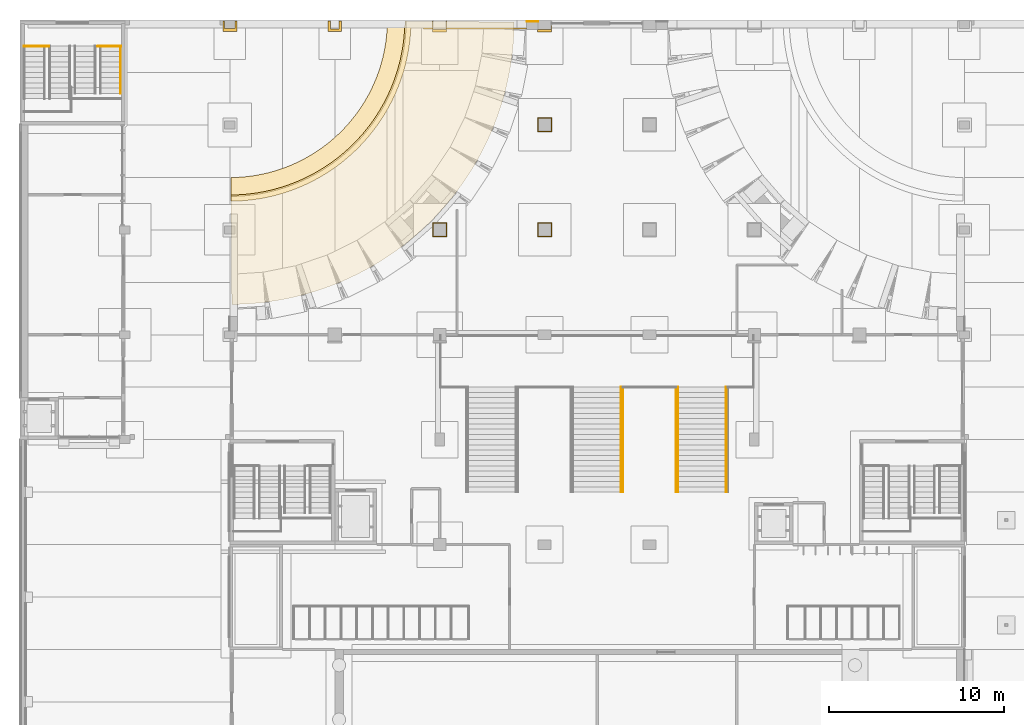
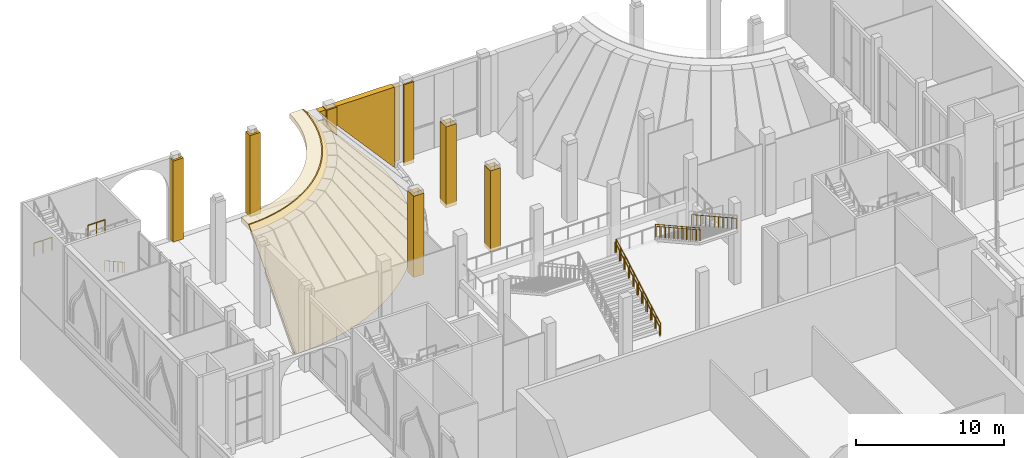
# One storey, part 86 of 95: 11 coverings, 8 railings.
"""IFC4 building model written with IfcOpenShell, lengths in metres."""

from ifc_helpers import new_model, entity, si_unit, direction, frame, origin, origin_2d, place, context, subcontext, project, spatial, polyline, rectangle, circle, outline, extrude, material, layer, layer_set, type_object, element, save


model = new_model("IFC4")

# Units and contexts
model_context = context("Model", 3, precision=1e-05, world=origin(), true_north=direction((0.0, 1.0)))
body_context = subcontext(model_context, "Body", "Model", "MODEL_VIEW")
ifc_project = project(units=[si_unit("LENGTHUNIT", "METRE"), si_unit("AREAUNIT", "SQUARE_METRE"), si_unit("VOLUMEUNIT", "CUBIC_METRE"), si_unit("PLANEANGLEUNIT", "RADIAN"), si_unit("MASSUNIT", "GRAM", prefix="KILO")], contexts=[model_context])

# Site, building, storey
site_placement = place(None, origin())
site = spatial("IfcSite", under=ifc_project, at=site_placement, CompositionType="ELEMENT")
building_placement = place(site_placement, origin())
building = spatial("IfcBuilding", under=site, at=building_placement, Name="Saffron Lane Theatres", CompositionType="ELEMENT")
storey_placement = place(building_placement, origin())
storey = spatial("IfcBuildingStorey", under=building, at=storey_placement, Name="L00", CompositionType="ELEMENT", Elevation=0.0)

# Coverings
ifc_material_1 = material(Name="Masonry pale clay brick", Category="masonry")
ifc_layer_1 = layer(ifc_material_1, 0.449951171875)
ifc_layer_set_1 = layer_set([ifc_layer_1], Name="Masonry pale clay brick")
covering_type_1 = type_object("IfcCoveringType", Name="EX-END INFILL CLADDING BRICK 450", PredefinedType="CLADDING", material=ifc_layer_set_1)
covering_1_placement = place(storey_placement, frame((28.96826171875, 125.93994140625, 6.64990234375), z_axis=(0.0, 1.0, 0.0), x_axis=(0.0, 0.0, -1.0)))
element("IfcCovering", 1, at=covering_1_placement, inside=storey, type_object=covering_type_1, Name="Wall end infill L00 08", PredefinedType="CLADDING", context=body_context, shape_type="SweptSolid", body=[
    extrude(outline(polyline([(0.0, 0.0), (6.64990234375, 0.0), (0.0, 5.880859375), (0.0, 0.0)])), origin(), (0.0, 0.0, -1.0), 0.449951171875),
])
ifc_material_2 = material(Name="Face brick cladding, pale buff", Category="masonry")
ifc_layer_2 = layer(ifc_material_2, 0.0400390625)
ifc_layer_set_2 = layer_set([ifc_layer_2], Name="Face brick cladding, pale buff")
covering_type_2 = type_object("IfcCoveringType", Name="EX-FACE BRICK CLADDING PALE BUFF 40", PredefinedType="CLADDING", material=ifc_layer_set_2)
covering_2_placement = place(storey_placement, frame((29.297119140625, 125.919921875, 0.150146484375), z_axis=(0.0, 0.0, 1.0), x_axis=(1.0, 0.0, 0.0)))
element("IfcCovering", 2, at=covering_2_placement, inside=storey, type_object=covering_type_2, Name="Cladding course L00", PredefinedType="CLADDING", context=body_context, shape_type="SweptSolid", body=[
    extrude(rectangle(XDim=0.656982421875, YDim=0.0400390625, at=origin_2d()), origin(), (0.0, 0.0, 1.0), 6.39990234375),
])
ifc_material_3 = material(Name="Face brick cladding, pale buff", Category="masonry")
ifc_layer_3 = layer(ifc_material_3, 0.10009765625)
ifc_layer_set_3 = layer_set([ifc_layer_3], Name="Face brick cladding, pale buff")
covering_type_3 = type_object("IfcCoveringType", Name="EX-PIER CASING FACE BRICK PALE BUFF 800", PredefinedType="CLADDING", material=ifc_layer_set_3)
covering_3_placement = place(storey_placement, origin())
element("IfcCovering", 3, at=covering_3_placement, inside=storey, type_object=covering_type_3, Name="Pier casing L00 6", PredefinedType="CLADDING", context=body_context, shape_type="SweptSolid", body=[
    extrude(outline(polyline([(24.39990234375, 114.39990234375), (23.60009765625, 114.39990234375), (23.60009765625, 113.60009765625), (24.39990234375, 113.60009765625), (24.39990234375, 114.39990234375)]), holes=[polyline([(23.625, 114.375), (24.375, 114.375), (24.375, 113.625), (23.625, 113.625), (23.625, 114.375)])]), origin(), (0.0, 0.0, 1.0), 6.699951171875),
])
covering_4_placement = place(storey_placement, origin())
element("IfcCovering", 4, at=covering_4_placement, inside=storey, type_object=covering_type_3, Name="Pier casing L00 7", PredefinedType="CLADDING", context=body_context, shape_type="SweptSolid", body=[
    extrude(outline(polyline([(30.39990234375, 114.39990234375), (29.60009765625, 114.39990234375), (29.60009765625, 113.60009765625), (30.39990234375, 113.60009765625), (30.39990234375, 114.39990234375)]), holes=[polyline([(29.625, 114.375), (30.375, 114.375), (30.375, 113.625), (29.625, 113.625), (29.625, 114.375)])]), origin(), (0.0, 0.0, 1.0), 6.699951171875),
])
covering_5_placement = place(storey_placement, origin())
element("IfcCovering", 5, at=covering_5_placement, inside=storey, type_object=covering_type_3, Name="Pier casing L00 12", PredefinedType="CLADDING", context=body_context, shape_type="SweptSolid", body=[
    extrude(outline(polyline([(30.39990234375, 120.39990234375), (29.60009765625, 120.39990234375), (29.60009765625, 119.60009765625), (30.39990234375, 119.60009765625), (30.39990234375, 120.39990234375)]), holes=[polyline([(29.625, 120.375), (30.375, 120.375), (30.375, 119.625), (29.625, 119.625), (29.625, 120.375)])]), origin(), (0.0, 0.0, 1.0), 6.699951171875),
])
covering_6_placement = place(storey_placement, origin())
element("IfcCovering", 6, at=covering_6_placement, inside=storey, type_object=covering_type_3, Name="Pier casing L00 15", PredefinedType="CLADDING", context=body_context, shape_type="SweptSolid", body=[
    extrude(outline(polyline([(11.60009765625, 125.93994140625), (11.60009765625, 125.349609375), (12.39990234375, 125.349609375), (12.39990234375, 125.93994140625), (12.300048828125, 125.93994140625), (12.300048828125, 125.5244140625), (11.699951171875, 125.5244140625), (11.699951171875, 125.93994140625), (11.60009765625, 125.93994140625)])), origin(), (0.0, 0.0, 1.0), 6.699951171875),
])
covering_7_placement = place(storey_placement, origin())
element("IfcCovering", 7, at=covering_7_placement, inside=storey, type_object=covering_type_3, Name="Pier casing L00 16", PredefinedType="CLADDING", context=body_context, shape_type="SweptSolid", body=[
    extrude(outline(polyline([(17.60009765625, 125.93994140625), (17.60009765625, 125.349609375), (18.39990234375, 125.349609375), (18.39990234375, 125.93994140625), (18.25, 125.93994140625), (18.25, 125.49951171875), (17.75, 125.49951171875), (17.75, 125.93994140625), (17.60009765625, 125.93994140625)])), origin(), (0.0, 0.0, 1.0), 6.699951171875),
])
covering_8_placement = place(storey_placement, origin())
element("IfcCovering", 8, at=covering_8_placement, inside=storey, type_object=covering_type_3, Name="Pier casing L00 17", PredefinedType="CLADDING", context=body_context, shape_type="SweptSolid", body=[
    extrude(outline(polyline([(23.60009765625, 125.93994140625), (23.60009765625, 125.324462890625), (24.39990234375, 125.324462890625), (24.39990234375, 125.93994140625), (24.375, 125.93994140625), (24.375, 125.449462890625), (23.625, 125.449462890625), (23.625, 125.93994140625), (23.60009765625, 125.93994140625)])), origin(), (0.0, 0.0, 1.0), 6.699951171875),
])
covering_9_placement = place(storey_placement, origin())
element("IfcCovering", 9, at=covering_9_placement, inside=storey, type_object=covering_type_3, Name="Pier casing L00 18", PredefinedType="CLADDING", context=body_context, shape_type="SweptSolid", body=[
    extrude(outline(polyline([(29.60009765625, 125.446044921875), (29.60009765625, 125.324462890625), (30.39990234375, 125.324462890625), (30.39990234375, 125.696044921875), (30.375, 125.696044921875), (30.375, 125.449462890625), (29.62890625, 125.449462890625), (29.62890625, 125.44921875), (29.62890625, 125.448974609375), (29.628662109375, 125.448486328125), (29.62841796875, 125.4482421875), (29.62841796875, 125.44775390625), (29.628173828125, 125.447509765625), (29.6279296875, 125.447265625), (29.62744140625, 125.447021484375), (29.627197265625, 125.44677734375), (29.626953125, 125.446533203125), (29.62646484375, 125.4462890625), (29.626220703125, 125.4462890625), (29.625732421875, 125.446044921875), (29.62548828125, 125.446044921875), (29.625, 125.446044921875), (29.60009765625, 125.446044921875)])), origin(), (0.0, 0.0, 1.0), 6.699951171875),
])
ifc_material_4 = material(Name="Face brick cladding, pale buff", Category="masonry")
ifc_layer_4 = layer(ifc_material_4, 0.080078125)
ifc_layer_set_4 = layer_set([ifc_layer_4], Name="Face brick cladding, pale buff")
covering_type_4 = type_object("IfcCoveringType", Name="EX-SCOOP SKIN FACE BRICK PALE BUFF 80", PredefinedType="CLADDING", material=ifc_layer_set_4)
covering_10_placement = place(storey_placement, frame((12.0, 125.99951171875, 0.0), z_axis=(0.0, 0.0, 1.0), x_axis=(0.006995, -0.999976, 0.0)))
cartesian_point_1 = entity("IfcCartesianPoint", [16.18505859375, 0.0])
cartesian_point_2 = entity("IfcCartesianPoint", [0.0, 0.0, 0.0])
element("IfcCovering", 10, at=covering_10_placement, inside=storey, type_object=covering_type_4, Name="Scoop skin NW L00", PredefinedType="CLADDING", context=body_context, shape_type="SweptSolid", body=[
    entity("IfcRevolvedAreaSolid", entity("IfcArbitraryClosedProfileDef", "AREA", None, entity("IfcPolyline", [cartesian_point_1, entity("IfcCartesianPoint", [16.26513671875, 0.0]), entity("IfcCartesianPoint", [10.087890625, 7.0]), entity("IfcCartesianPoint", [10.0078125, 7.0]), cartesian_point_1])), entity("IfcAxis2Placement3D", cartesian_point_2, entity("IfcDirection", [0.0, -1.0, 0.0]), entity("IfcDirection", [1.0, 0.0, 0.0])), entity("IfcAxis1Placement", cartesian_point_2, entity("IfcDirection", [0.0, 1.0, 0.0])), 1.556807),
])
ifc_material_5 = material(Name="Masonry sandstone", Category="masonry")
ifc_layer_5 = layer(ifc_material_5, 0.39990234375)
ifc_layer_set_5 = layer_set([ifc_layer_5], Name="Masonry sandstone")
covering_type_5 = type_object("IfcCoveringType", Name="EX-SCOOP STEP SANDSTONE 700", PredefinedType="CLADDING", material=ifc_layer_set_5)
covering_11_placement = place(storey_placement, frame((12.0, 125.99951171875, 0.0), z_axis=(0.0, 0.0, 1.0), x_axis=(0.007771, -0.99997, 0.0)))
cartesian_point_3 = entity("IfcCartesianPoint", [9.0078125, 6.60009765625])
cartesian_point_4 = entity("IfcCartesianPoint", [0.0, 0.0, 0.0])
element("IfcCovering", 11, at=covering_11_placement, inside=storey, type_object=covering_type_5, Name="Floor step NW L01", PredefinedType="CLADDING", context=body_context, shape_type="SweptSolid", body=[
    entity("IfcRevolvedAreaSolid", entity("IfcArbitraryClosedProfileDef", "AREA", None, entity("IfcPolyline", [cartesian_point_3, entity("IfcCartesianPoint", [10.36083984375, 6.60009765625]), entity("IfcCartesianPoint", [10.0078125, 7.0]), entity("IfcCartesianPoint", [9.0078125, 7.0]), cartesian_point_3])), entity("IfcAxis2Placement3D", cartesian_point_4, entity("IfcDirection", [0.0, -1.0, 0.0]), entity("IfcDirection", [1.0, 0.0, 0.0])), entity("IfcAxis1Placement", cartesian_point_4, entity("IfcDirection", [0.0, 1.0, 0.0])), 1.555254),
])

# Railings
ifc_material_6 = material(Name="Steel Grade 350", Category="steel")
railing_type_1 = type_object("IfcRailingType", Name="VC-GUARD 1100", PredefinedType="GUARDRAIL", material=ifc_material_6)
railing_1_placement = place(storey_placement, frame((5.77001953125, 124.5, 3.333251953125)))
element("IfcRailing", 12, at=railing_1_placement, inside=storey, type_object=railing_type_1, Name="West Wing Street Stair landing guard 1S2w", PredefinedType="GUARDRAIL", context=body_context, shape_type="SweptSolid", body=[
    extrude(circle(Radius=0.02392578125, at=origin_2d()), frame((0.0, 0.0, 1.076171875), z_axis=(-1.0, 0.0, 0.0), x_axis=(0.0, -1.0, 0.0)), (0.0, 0.0, 1.0), 1.320068359375),
    extrude(circle(Radius=0.02099609375, at=origin_2d()), origin(), (0.0, 0.0, 1.0), 1.052001953125),
    extrude(circle(Radius=0.02099609375, at=origin_2d()), frame((-0.66015625, 0.0, 0.0)), (0.0, 0.0, 1.0), 1.052001953125),
    extrude(circle(Radius=0.02099609375, at=origin_2d()), frame((-1.320068359375, 0.0, 0.0)), (0.0, 0.0, 1.0), 1.052001953125),
])
railing_2_placement = place(storey_placement, frame((1.64990234375, 124.5, 3.333251953125)))
element("IfcRailing", 13, at=railing_2_placement, inside=storey, type_object=railing_type_1, Name="West Wing Street Stair landing guard 1S2e", PredefinedType="GUARDRAIL", context=body_context, shape_type="SweptSolid", body=[
    extrude(circle(Radius=0.02392578125, at=origin_2d()), frame((0.0, 0.0, 1.076171875), z_axis=(-1.0, 0.0, 0.0), x_axis=(0.0, -1.0, 0.0)), (0.0, 0.0, 1.0), 1.419921875),
    extrude(circle(Radius=0.02099609375, at=origin_2d()), origin(), (0.0, 0.0, 1.0), 1.052001953125),
    extrude(circle(Radius=0.02099609375, at=origin_2d()), frame((-0.7099609375, 0.0, 0.0)), (0.0, 0.0, 1.0), 1.052001953125),
    extrude(circle(Radius=0.02099609375, at=origin_2d()), frame((-1.419921875, 0.0, 0.0)), (0.0, 0.0, 1.0), 1.052001953125),
])
railing_3_placement = place(storey_placement, frame((34.469970703125, 99.0, 0.166748046875)))
element("IfcRailing", 14, at=railing_3_placement, inside=storey, type_object=railing_type_1, Name="Grand Stair flight guard 1.1b", PredefinedType="GUARDRAIL", context=body_context, shape_type="SweptSolid", body=[
    extrude(circle(Radius=0.02392578125, at=origin_2d()), frame((0.0, 0.0, 1.076171875), z_axis=(0.0, 0.874241147926, 0.485491931212), x_axis=(-1.0, 0.0, 0.0)), (0.0, 0.0, 1.0), 0.6865234375),
    extrude(circle(Radius=0.02392578125, at=origin_2d()), frame((0.0, 0.60009765625, 1.4091796875), z_axis=(0.0, 0.874157276122, 0.485642931179), x_axis=(-1.0, 0.0, 0.0)), (0.0, 0.0, 1.0), 0.686279296875),
    extrude(circle(Radius=0.02392578125, at=origin_2d()), frame((0.0, 1.199951171875, 1.74267578125), z_axis=(0.0, 0.874090171491, 0.485763699861), x_axis=(-1.0, 0.0, 0.0)), (0.0, 0.0, 1.0), 0.6865234375),
    extrude(circle(Radius=0.02392578125, at=origin_2d()), frame((0.0, 1.800048828125, 2.076171875), z_axis=(0.0, 0.874157276122, 0.485642931179), x_axis=(-1.0, 0.0, 0.0)), (0.0, 0.0, 1.0), 0.686279296875),
    extrude(circle(Radius=0.02392578125, at=origin_2d()), frame((0.0, 2.39990234375, 2.4091796875), z_axis=(0.0, 0.874241147926, 0.485491931212), x_axis=(-1.0, 0.0, 0.0)), (0.0, 0.0, 1.0), 0.6865234375),
    extrude(circle(Radius=0.02392578125, at=origin_2d()), frame((0.0, 3.0, 2.74267578125), z_axis=(0.0, 0.874090171491, 0.485763699861), x_axis=(-1.0, 0.0, 0.0)), (0.0, 0.0, 1.0), 0.6865234375),
    extrude(circle(Radius=0.02392578125, at=origin_2d()), frame((0.0, 3.60009765625, 3.076171875), z_axis=(0.0, 0.874157276122, 0.485642931179), x_axis=(-1.0, 0.0, 0.0)), (0.0, 0.0, 1.0), 0.686279296875),
    extrude(circle(Radius=0.02392578125, at=origin_2d()), frame((0.0, 4.199951171875, 3.4091796875), z_axis=(0.0, 0.874241147926, 0.485491931212), x_axis=(-1.0, 0.0, 0.0)), (0.0, 0.0, 1.0), 0.6865234375),
    extrude(circle(Radius=0.02392578125, at=origin_2d()), frame((0.0, 4.800048828125, 3.74267578125), z_axis=(0.0, 0.874006220275, 0.485914732151), x_axis=(-1.0, 0.0, 0.0)), (0.0, 0.0, 1.0), 0.686279296875),
    extrude(circle(Radius=0.02392578125, at=origin_2d()), frame((0.0, 5.39990234375, 4.076171875), z_axis=(0.0, 0.874241147926, 0.485491931212), x_axis=(-1.0, 0.0, 0.0)), (0.0, 0.0, 1.0), 0.6865234375),
    extrude(circle(Radius=0.02099609375, at=origin_2d()), origin(), (0.0, 0.0, 1.0), 1.052001953125),
    extrude(circle(Radius=0.02099609375, at=origin_2d()), frame((0.0, 0.60009765625, 0.333251953125)), (0.0, 0.0, 1.0), 1.052001953125),
    extrude(circle(Radius=0.02099609375, at=origin_2d()), frame((0.0, 1.199951171875, 0.66650390625)), (0.0, 0.0, 1.0), 1.052001953125),
    extrude(circle(Radius=0.02099609375, at=origin_2d()), frame((0.0, 1.800048828125, 1.0)), (0.0, 0.0, 1.0), 1.052001953125),
    extrude(circle(Radius=0.02099609375, at=origin_2d()), frame((0.0, 2.39990234375, 1.333251953125)), (0.0, 0.0, 1.0), 1.052001953125),
    extrude(circle(Radius=0.02099609375, at=origin_2d()), frame((0.0, 3.0, 1.66650390625)), (0.0, 0.0, 1.0), 1.052001953125),
    extrude(circle(Radius=0.02099609375, at=origin_2d()), frame((0.0, 3.60009765625, 2.0)), (0.0, 0.0, 1.0), 1.052001953125),
    extrude(circle(Radius=0.02099609375, at=origin_2d()), frame((0.0, 4.199951171875, 2.333251953125)), (0.0, 0.0, 1.0), 1.052001953125),
    extrude(circle(Radius=0.02099609375, at=origin_2d()), frame((0.0, 4.800048828125, 2.66650390625)), (0.0, 0.0, 1.0), 1.052001953125),
    extrude(circle(Radius=0.02099609375, at=origin_2d()), frame((0.0, 5.39990234375, 3.0)), (0.0, 0.0, 1.0), 1.052001953125),
    extrude(circle(Radius=0.02099609375, at=origin_2d()), frame((0.0, 6.0, 3.333251953125)), (0.0, 0.0, 1.0), 1.052001953125),
])
railing_4_placement = place(storey_placement, frame((37.530029296875, 105.0, 3.666748046875)))
element("IfcRailing", 15, at=railing_4_placement, inside=storey, type_object=railing_type_1, Name="Grand Stair flight guard 1.3a", PredefinedType="GUARDRAIL", context=body_context, shape_type="SweptSolid", body=[
    extrude(circle(Radius=0.02392578125, at=origin_2d()), frame((0.0, 0.0, 1.076171875), z_axis=(0.0, -0.874241147926, 0.485491931212), x_axis=(1.0, 0.0, 0.0)), (0.0, 0.0, 1.0), 0.6865234375),
    extrude(circle(Radius=0.02392578125, at=origin_2d()), frame((0.0, -0.60009765625, 1.4091796875), z_axis=(0.0, -0.874157276122, 0.485642931179), x_axis=(1.0, 0.0, 0.0)), (0.0, 0.0, 1.0), 0.686279296875),
    extrude(circle(Radius=0.02392578125, at=origin_2d()), frame((0.0, -1.199951171875, 1.74267578125), z_axis=(0.0, -0.874090171491, 0.485763699861), x_axis=(1.0, 0.0, 0.0)), (0.0, 0.0, 1.0), 0.6865234375),
    extrude(circle(Radius=0.02392578125, at=origin_2d()), frame((0.0, -1.800048828125, 2.076171875), z_axis=(0.0, -0.874157276122, 0.485642931179), x_axis=(1.0, 0.0, 0.0)), (0.0, 0.0, 1.0), 0.686279296875),
    extrude(circle(Radius=0.02392578125, at=origin_2d()), frame((0.0, -2.39990234375, 2.4091796875), z_axis=(0.0, -0.874241147926, 0.485491931212), x_axis=(1.0, 0.0, 0.0)), (0.0, 0.0, 1.0), 0.6865234375),
    extrude(circle(Radius=0.02392578125, at=origin_2d()), frame((0.0, -3.0, 2.74267578125), z_axis=(0.0, -0.874090171491, 0.485763699861), x_axis=(1.0, 0.0, 0.0)), (0.0, 0.0, 1.0), 0.6865234375),
    extrude(circle(Radius=0.02392578125, at=origin_2d()), frame((0.0, -3.60009765625, 3.076171875), z_axis=(0.0, -0.874157276122, 0.485642931179), x_axis=(1.0, 0.0, 0.0)), (0.0, 0.0, 1.0), 0.686279296875),
    extrude(circle(Radius=0.02392578125, at=origin_2d()), frame((0.0, -4.199951171875, 3.4091796875), z_axis=(0.0, -0.874241147926, 0.485491931212), x_axis=(1.0, 0.0, 0.0)), (0.0, 0.0, 1.0), 0.6865234375),
    extrude(circle(Radius=0.02392578125, at=origin_2d()), frame((0.0, -4.800048828125, 3.74267578125), z_axis=(0.0, -0.874006220275, 0.485914732151), x_axis=(1.0, 0.0, 0.0)), (0.0, 0.0, 1.0), 0.686279296875),
    extrude(circle(Radius=0.02392578125, at=origin_2d()), frame((0.0, -5.39990234375, 4.076171875), z_axis=(0.0, -0.874241147926, 0.485491931212), x_axis=(1.0, 0.0, 0.0)), (0.0, 0.0, 1.0), 0.6865234375),
    extrude(circle(Radius=0.02099609375, at=origin_2d()), origin(), (0.0, 0.0, 1.0), 1.052001953125),
    extrude(circle(Radius=0.02099609375, at=origin_2d()), frame((0.0, -0.60009765625, 0.333251953125)), (0.0, 0.0, 1.0), 1.052001953125),
    extrude(circle(Radius=0.02099609375, at=origin_2d()), frame((0.0, -1.199951171875, 0.66650390625)), (0.0, 0.0, 1.0), 1.052001953125),
    extrude(circle(Radius=0.02099609375, at=origin_2d()), frame((0.0, -1.800048828125, 1.0)), (0.0, 0.0, 1.0), 1.052001953125),
    extrude(circle(Radius=0.02099609375, at=origin_2d()), frame((0.0, -2.39990234375, 1.333251953125)), (0.0, 0.0, 1.0), 1.052001953125),
    extrude(circle(Radius=0.02099609375, at=origin_2d()), frame((0.0, -3.0, 1.66650390625)), (0.0, 0.0, 1.0), 1.052001953125),
    extrude(circle(Radius=0.02099609375, at=origin_2d()), frame((0.0, -3.60009765625, 2.0)), (0.0, 0.0, 1.0), 1.052001953125),
    extrude(circle(Radius=0.02099609375, at=origin_2d()), frame((0.0, -4.199951171875, 2.333251953125)), (0.0, 0.0, 1.0), 1.052001953125),
    extrude(circle(Radius=0.02099609375, at=origin_2d()), frame((0.0, -4.800048828125, 2.66650390625)), (0.0, 0.0, 1.0), 1.052001953125),
    extrude(circle(Radius=0.02099609375, at=origin_2d()), frame((0.0, -5.39990234375, 3.0)), (0.0, 0.0, 1.0), 1.052001953125),
    extrude(circle(Radius=0.02099609375, at=origin_2d()), frame((0.0, -6.0, 3.333251953125)), (0.0, 0.0, 1.0), 1.052001953125),
])
ifc_material_7 = material(Name="Steel Grade 350", Category="steel")
railing_type_2 = type_object("IfcRailingType", Name="VC-HANDRAIL 900", PredefinedType="HANDRAIL", material=ifc_material_7)
railing_5_placement = place(storey_placement, frame((5.75, 124.5, 0.166748046875)))
element("IfcRailing", 16, at=railing_5_placement, inside=storey, type_object=railing_type_2, Name="West Wing Street Stair handrail 1.1a", PredefinedType="HANDRAIL", context=body_context, shape_type="SweptSolid", body=[
    extrude(circle(Radius=0.02392578125, at=origin_2d()), frame((0.0, 0.0, 0.8759765625), z_axis=(0.0, -0.874241147926, 0.485491931212), x_axis=(1.0, 0.0, 0.0)), (0.0, 0.0, 1.0), 0.6865234375),
    extrude(circle(Radius=0.02392578125, at=origin_2d()), frame((0.0, -0.60009765625, 1.208984375), z_axis=(0.0, -0.874157276122, 0.485642931179), x_axis=(1.0, 0.0, 0.0)), (0.0, 0.0, 1.0), 0.686279296875),
    extrude(circle(Radius=0.02392578125, at=origin_2d()), frame((0.0, -1.199951171875, 1.54248046875), z_axis=(0.0, -0.874090171491, 0.485763699861), x_axis=(1.0, 0.0, 0.0)), (0.0, 0.0, 1.0), 0.6865234375),
    extrude(circle(Radius=0.02392578125, at=origin_2d()), frame((0.0, -1.800048828125, 1.8759765625), z_axis=(0.0, -0.874157276122, 0.485642931179), x_axis=(1.0, 0.0, 0.0)), (0.0, 0.0, 1.0), 0.686279296875),
    extrude(circle(Radius=0.02392578125, at=origin_2d()), frame((0.0, -2.39990234375, 2.208984375), z_axis=(0.0, -0.874090171491, 0.485763699861), x_axis=(1.0, 0.0, 0.0)), (0.0, 0.0, 1.0), 0.34326171875),
    extrude(circle(Radius=0.02099609375, at=origin_2d()), origin(), (0.0, 0.0, 1.0), 0.851806640625),
    extrude(circle(Radius=0.02099609375, at=origin_2d()), frame((0.0, -0.60009765625, 0.333251953125)), (0.0, 0.0, 1.0), 0.851806640625),
    extrude(circle(Radius=0.02099609375, at=origin_2d()), frame((0.0, -1.199951171875, 0.66650390625)), (0.0, 0.0, 1.0), 0.851806640625),
    extrude(circle(Radius=0.02099609375, at=origin_2d()), frame((0.0, -1.800048828125, 1.0)), (0.0, 0.0, 1.0), 0.851806640625),
    extrude(circle(Radius=0.02099609375, at=origin_2d()), frame((0.0, -2.39990234375, 1.333251953125)), (0.0, 0.0, 1.0), 0.851806640625),
    extrude(circle(Radius=0.02099609375, at=origin_2d()), frame((0.0, -2.699951171875, 1.5)), (0.0, 0.0, 1.0), 0.851806640625),
])
railing_6_placement = place(storey_placement, frame((34.3798828125, 99.0, 0.166748046875)))
element("IfcRailing", 17, at=railing_6_placement, inside=storey, type_object=railing_type_2, Name="Grand Stair handrail 1.1b", PredefinedType="HANDRAIL", context=body_context, shape_type="SweptSolid", body=[
    extrude(circle(Radius=0.02392578125, at=origin_2d()), frame((0.0, 0.0, 0.8759765625), z_axis=(0.0, 0.874241147926, 0.485491931212), x_axis=(-1.0, 0.0, 0.0)), (0.0, 0.0, 1.0), 0.6865234375),
    extrude(circle(Radius=0.02392578125, at=origin_2d()), frame((0.0, 0.60009765625, 1.208984375), z_axis=(0.0, 0.874157276122, 0.485642931179), x_axis=(-1.0, 0.0, 0.0)), (0.0, 0.0, 1.0), 0.686279296875),
    extrude(circle(Radius=0.02392578125, at=origin_2d()), frame((0.0, 1.199951171875, 1.54248046875), z_axis=(0.0, 0.874090171491, 0.485763699861), x_axis=(-1.0, 0.0, 0.0)), (0.0, 0.0, 1.0), 0.6865234375),
    extrude(circle(Radius=0.02392578125, at=origin_2d()), frame((0.0, 1.800048828125, 1.8759765625), z_axis=(0.0, 0.874157276122, 0.485642931179), x_axis=(-1.0, 0.0, 0.0)), (0.0, 0.0, 1.0), 0.686279296875),
    extrude(circle(Radius=0.02392578125, at=origin_2d()), frame((0.0, 2.39990234375, 2.208984375), z_axis=(0.0, 0.874241147926, 0.485491931212), x_axis=(-1.0, 0.0, 0.0)), (0.0, 0.0, 1.0), 0.6865234375),
    extrude(circle(Radius=0.02392578125, at=origin_2d()), frame((0.0, 3.0, 2.54248046875), z_axis=(0.0, 0.874090171491, 0.485763699861), x_axis=(-1.0, 0.0, 0.0)), (0.0, 0.0, 1.0), 0.6865234375),
    extrude(circle(Radius=0.02392578125, at=origin_2d()), frame((0.0, 3.60009765625, 2.8759765625), z_axis=(0.0, 0.874157276122, 0.485642931179), x_axis=(-1.0, 0.0, 0.0)), (0.0, 0.0, 1.0), 0.686279296875),
    extrude(circle(Radius=0.02392578125, at=origin_2d()), frame((0.0, 4.199951171875, 3.208984375), z_axis=(0.0, 0.874241147926, 0.485491931212), x_axis=(-1.0, 0.0, 0.0)), (0.0, 0.0, 1.0), 0.6865234375),
    extrude(circle(Radius=0.02392578125, at=origin_2d()), frame((0.0, 4.800048828125, 3.54248046875), z_axis=(0.0, 0.874006220275, 0.485914732151), x_axis=(-1.0, 0.0, 0.0)), (0.0, 0.0, 1.0), 0.686279296875),
    extrude(circle(Radius=0.02392578125, at=origin_2d()), frame((0.0, 5.39990234375, 3.8759765625), z_axis=(0.0, 0.874241147926, 0.485491931212), x_axis=(-1.0, 0.0, 0.0)), (0.0, 0.0, 1.0), 0.6865234375),
    extrude(circle(Radius=0.02099609375, at=origin_2d()), origin(), (0.0, 0.0, 1.0), 0.851806640625),
    extrude(circle(Radius=0.02099609375, at=origin_2d()), frame((0.0, 0.60009765625, 0.333251953125)), (0.0, 0.0, 1.0), 0.851806640625),
    extrude(circle(Radius=0.02099609375, at=origin_2d()), frame((0.0, 1.199951171875, 0.66650390625)), (0.0, 0.0, 1.0), 0.851806640625),
    extrude(circle(Radius=0.02099609375, at=origin_2d()), frame((0.0, 1.800048828125, 1.0)), (0.0, 0.0, 1.0), 0.851806640625),
    extrude(circle(Radius=0.02099609375, at=origin_2d()), frame((0.0, 2.39990234375, 1.333251953125)), (0.0, 0.0, 1.0), 0.851806640625),
    extrude(circle(Radius=0.02099609375, at=origin_2d()), frame((0.0, 3.0, 1.66650390625)), (0.0, 0.0, 1.0), 0.851806640625),
    extrude(circle(Radius=0.02099609375, at=origin_2d()), frame((0.0, 3.60009765625, 2.0)), (0.0, 0.0, 1.0), 0.851806640625),
    extrude(circle(Radius=0.02099609375, at=origin_2d()), frame((0.0, 4.199951171875, 2.333251953125)), (0.0, 0.0, 1.0), 0.851806640625),
    extrude(circle(Radius=0.02099609375, at=origin_2d()), frame((0.0, 4.800048828125, 2.66650390625)), (0.0, 0.0, 1.0), 0.851806640625),
    extrude(circle(Radius=0.02099609375, at=origin_2d()), frame((0.0, 5.39990234375, 3.0)), (0.0, 0.0, 1.0), 0.851806640625),
    extrude(circle(Radius=0.02099609375, at=origin_2d()), frame((0.0, 6.0, 3.333251953125)), (0.0, 0.0, 1.0), 0.851806640625),
])
railing_7_placement = place(storey_placement, frame((37.6201171875, 105.0, 3.666748046875)))
element("IfcRailing", 18, at=railing_7_placement, inside=storey, type_object=railing_type_2, Name="Grand Stair handrail 1.3a", PredefinedType="HANDRAIL", context=body_context, shape_type="SweptSolid", body=[
    extrude(circle(Radius=0.02392578125, at=origin_2d()), frame((0.0, 0.0, 0.8759765625), z_axis=(0.0, -0.874241147926, 0.485491931212), x_axis=(1.0, 0.0, 0.0)), (0.0, 0.0, 1.0), 0.6865234375),
    extrude(circle(Radius=0.02392578125, at=origin_2d()), frame((0.0, -0.60009765625, 1.208984375), z_axis=(0.0, -0.874157276122, 0.485642931179), x_axis=(1.0, 0.0, 0.0)), (0.0, 0.0, 1.0), 0.686279296875),
    extrude(circle(Radius=0.02392578125, at=origin_2d()), frame((0.0, -1.199951171875, 1.54248046875), z_axis=(0.0, -0.874090171491, 0.485763699861), x_axis=(1.0, 0.0, 0.0)), (0.0, 0.0, 1.0), 0.6865234375),
    extrude(circle(Radius=0.02392578125, at=origin_2d()), frame((0.0, -1.800048828125, 1.8759765625), z_axis=(0.0, -0.874157276122, 0.485642931179), x_axis=(1.0, 0.0, 0.0)), (0.0, 0.0, 1.0), 0.686279296875),
    extrude(circle(Radius=0.02392578125, at=origin_2d()), frame((0.0, -2.39990234375, 2.208984375), z_axis=(0.0, -0.874241147926, 0.485491931212), x_axis=(1.0, 0.0, 0.0)), (0.0, 0.0, 1.0), 0.6865234375),
    extrude(circle(Radius=0.02392578125, at=origin_2d()), frame((0.0, -3.0, 2.54248046875), z_axis=(0.0, -0.874090171491, 0.485763699861), x_axis=(1.0, 0.0, 0.0)), (0.0, 0.0, 1.0), 0.6865234375),
    extrude(circle(Radius=0.02392578125, at=origin_2d()), frame((0.0, -3.60009765625, 2.8759765625), z_axis=(0.0, -0.874157276122, 0.485642931179), x_axis=(1.0, 0.0, 0.0)), (0.0, 0.0, 1.0), 0.686279296875),
    extrude(circle(Radius=0.02392578125, at=origin_2d()), frame((0.0, -4.199951171875, 3.208984375), z_axis=(0.0, -0.874241147926, 0.485491931212), x_axis=(1.0, 0.0, 0.0)), (0.0, 0.0, 1.0), 0.6865234375),
    extrude(circle(Radius=0.02392578125, at=origin_2d()), frame((0.0, -4.800048828125, 3.54248046875), z_axis=(0.0, -0.874006220275, 0.485914732151), x_axis=(1.0, 0.0, 0.0)), (0.0, 0.0, 1.0), 0.686279296875),
    extrude(circle(Radius=0.02392578125, at=origin_2d()), frame((0.0, -5.39990234375, 3.8759765625), z_axis=(0.0, -0.874241147926, 0.485491931212), x_axis=(1.0, 0.0, 0.0)), (0.0, 0.0, 1.0), 0.6865234375),
    extrude(circle(Radius=0.02099609375, at=origin_2d()), origin(), (0.0, 0.0, 1.0), 0.851806640625),
    extrude(circle(Radius=0.02099609375, at=origin_2d()), frame((0.0, -0.60009765625, 0.333251953125)), (0.0, 0.0, 1.0), 0.851806640625),
    extrude(circle(Radius=0.02099609375, at=origin_2d()), frame((0.0, -1.199951171875, 0.66650390625)), (0.0, 0.0, 1.0), 0.851806640625),
    extrude(circle(Radius=0.02099609375, at=origin_2d()), frame((0.0, -1.800048828125, 1.0)), (0.0, 0.0, 1.0), 0.851806640625),
    extrude(circle(Radius=0.02099609375, at=origin_2d()), frame((0.0, -2.39990234375, 1.333251953125)), (0.0, 0.0, 1.0), 0.851806640625),
    extrude(circle(Radius=0.02099609375, at=origin_2d()), frame((0.0, -3.0, 1.66650390625)), (0.0, 0.0, 1.0), 0.851806640625),
    extrude(circle(Radius=0.02099609375, at=origin_2d()), frame((0.0, -3.60009765625, 2.0)), (0.0, 0.0, 1.0), 0.851806640625),
    extrude(circle(Radius=0.02099609375, at=origin_2d()), frame((0.0, -4.199951171875, 2.333251953125)), (0.0, 0.0, 1.0), 0.851806640625),
    extrude(circle(Radius=0.02099609375, at=origin_2d()), frame((0.0, -4.800048828125, 2.66650390625)), (0.0, 0.0, 1.0), 0.851806640625),
    extrude(circle(Radius=0.02099609375, at=origin_2d()), frame((0.0, -5.39990234375, 3.0)), (0.0, 0.0, 1.0), 0.851806640625),
    extrude(circle(Radius=0.02099609375, at=origin_2d()), frame((0.0, -6.0, 3.333251953125)), (0.0, 0.0, 1.0), 0.851806640625),
])
railing_8_placement = place(storey_placement, frame((40.3798828125, 105.0, 3.666748046875)))
element("IfcRailing", 19, at=railing_8_placement, inside=storey, type_object=railing_type_2, Name="Grand Stair handrail 1.3b", PredefinedType="HANDRAIL", context=body_context, shape_type="SweptSolid", body=[
    extrude(circle(Radius=0.02392578125, at=origin_2d()), frame((0.0, 0.0, 0.8759765625), z_axis=(0.0, -0.874241147926, 0.485491931212), x_axis=(1.0, 0.0, 0.0)), (0.0, 0.0, 1.0), 0.6865234375),
    extrude(circle(Radius=0.02392578125, at=origin_2d()), frame((0.0, -0.60009765625, 1.208984375), z_axis=(0.0, -0.874157276122, 0.485642931179), x_axis=(1.0, 0.0, 0.0)), (0.0, 0.0, 1.0), 0.686279296875),
    extrude(circle(Radius=0.02392578125, at=origin_2d()), frame((0.0, -1.199951171875, 1.54248046875), z_axis=(0.0, -0.874090171491, 0.485763699861), x_axis=(1.0, 0.0, 0.0)), (0.0, 0.0, 1.0), 0.6865234375),
    extrude(circle(Radius=0.02392578125, at=origin_2d()), frame((0.0, -1.800048828125, 1.8759765625), z_axis=(0.0, -0.874157276122, 0.485642931179), x_axis=(1.0, 0.0, 0.0)), (0.0, 0.0, 1.0), 0.686279296875),
    extrude(circle(Radius=0.02392578125, at=origin_2d()), frame((0.0, -2.39990234375, 2.208984375), z_axis=(0.0, -0.874241147926, 0.485491931212), x_axis=(1.0, 0.0, 0.0)), (0.0, 0.0, 1.0), 0.6865234375),
    extrude(circle(Radius=0.02392578125, at=origin_2d()), frame((0.0, -3.0, 2.54248046875), z_axis=(0.0, -0.874090171491, 0.485763699861), x_axis=(1.0, 0.0, 0.0)), (0.0, 0.0, 1.0), 0.6865234375),
    extrude(circle(Radius=0.02392578125, at=origin_2d()), frame((0.0, -3.60009765625, 2.8759765625), z_axis=(0.0, -0.874157276122, 0.485642931179), x_axis=(1.0, 0.0, 0.0)), (0.0, 0.0, 1.0), 0.686279296875),
    extrude(circle(Radius=0.02392578125, at=origin_2d()), frame((0.0, -4.199951171875, 3.208984375), z_axis=(0.0, -0.874241147926, 0.485491931212), x_axis=(1.0, 0.0, 0.0)), (0.0, 0.0, 1.0), 0.6865234375),
    extrude(circle(Radius=0.02392578125, at=origin_2d()), frame((0.0, -4.800048828125, 3.54248046875), z_axis=(0.0, -0.874006220275, 0.485914732151), x_axis=(1.0, 0.0, 0.0)), (0.0, 0.0, 1.0), 0.686279296875),
    extrude(circle(Radius=0.02392578125, at=origin_2d()), frame((0.0, -5.39990234375, 3.8759765625), z_axis=(0.0, -0.874241147926, 0.485491931212), x_axis=(1.0, 0.0, 0.0)), (0.0, 0.0, 1.0), 0.6865234375),
    extrude(circle(Radius=0.02099609375, at=origin_2d()), origin(), (0.0, 0.0, 1.0), 0.851806640625),
    extrude(circle(Radius=0.02099609375, at=origin_2d()), frame((0.0, -0.60009765625, 0.333251953125)), (0.0, 0.0, 1.0), 0.851806640625),
    extrude(circle(Radius=0.02099609375, at=origin_2d()), frame((0.0, -1.199951171875, 0.66650390625)), (0.0, 0.0, 1.0), 0.851806640625),
    extrude(circle(Radius=0.02099609375, at=origin_2d()), frame((0.0, -1.800048828125, 1.0)), (0.0, 0.0, 1.0), 0.851806640625),
    extrude(circle(Radius=0.02099609375, at=origin_2d()), frame((0.0, -2.39990234375, 1.333251953125)), (0.0, 0.0, 1.0), 0.851806640625),
    extrude(circle(Radius=0.02099609375, at=origin_2d()), frame((0.0, -3.0, 1.66650390625)), (0.0, 0.0, 1.0), 0.851806640625),
    extrude(circle(Radius=0.02099609375, at=origin_2d()), frame((0.0, -3.60009765625, 2.0)), (0.0, 0.0, 1.0), 0.851806640625),
    extrude(circle(Radius=0.02099609375, at=origin_2d()), frame((0.0, -4.199951171875, 2.333251953125)), (0.0, 0.0, 1.0), 0.851806640625),
    extrude(circle(Radius=0.02099609375, at=origin_2d()), frame((0.0, -4.800048828125, 2.66650390625)), (0.0, 0.0, 1.0), 0.851806640625),
    extrude(circle(Radius=0.02099609375, at=origin_2d()), frame((0.0, -5.39990234375, 3.0)), (0.0, 0.0, 1.0), 0.851806640625),
    extrude(circle(Radius=0.02099609375, at=origin_2d()), frame((0.0, -6.0, 3.333251953125)), (0.0, 0.0, 1.0), 0.851806640625),
])

save(model, "model.ifc")
